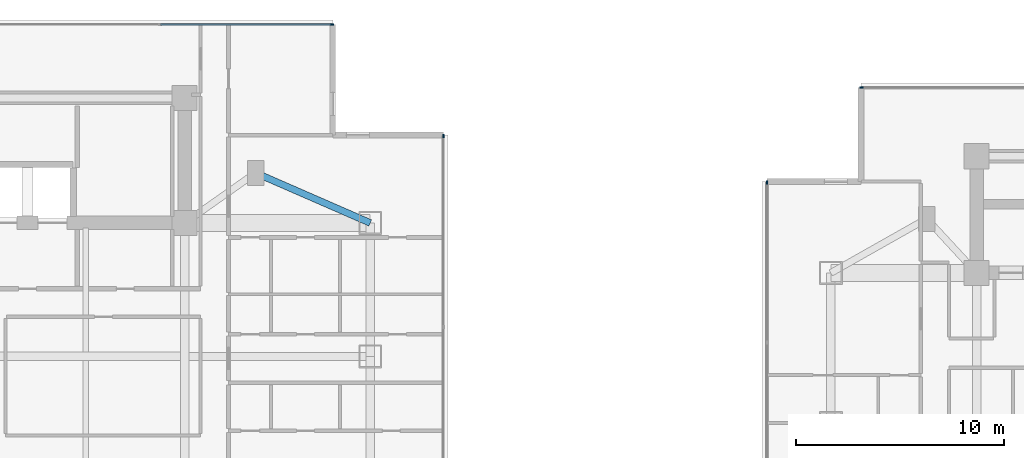
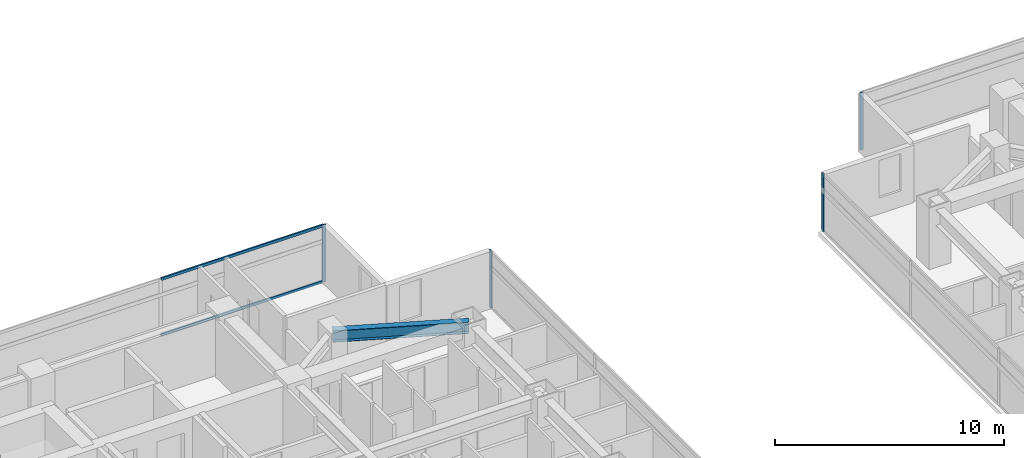
# One storey, part 8 of 26: 6 members, 1 beam, 4 elements without a shape of their own.
"""IFC4 building model written with IfcOpenShell, lengths in metres."""

from ifc_helpers import new_model, si_unit, direction, frame, origin, origin_2d, place, context, subcontext, project, spatial, rectangle, i_section, extrude, material, material_profile, profile_set, type_object, element, aggregate, save


model = new_model("IFC4")

# Units and contexts
model_context = context("Model", 3, precision=1e-05, world=origin(), true_north=direction((0.0, 1.0)))
body_context = subcontext(model_context, "Body", "Model", "MODEL_VIEW")
ifc_project = project(units=[si_unit("LENGTHUNIT", "METRE"), si_unit("AREAUNIT", "SQUARE_METRE"), si_unit("VOLUMEUNIT", "CUBIC_METRE"), si_unit("PLANEANGLEUNIT", "RADIAN"), si_unit("MASSUNIT", "GRAM", prefix="KILO")], contexts=[model_context])

# Site, building, storey
site_placement = place(None, origin())
site = spatial("IfcSite", under=ifc_project, at=site_placement, CompositionType="ELEMENT")
building_placement = place(site_placement, origin())
building = spatial("IfcBuilding", under=site, at=building_placement, Name="Mirazonda Arch Towers", CompositionType="ELEMENT")
storey_placement = place(building_placement, frame((0.0, 0.0, 108.199951171875)))
storey = spatial("IfcBuildingStorey", under=building, at=storey_placement, Name="L30", CompositionType="ELEMENT", Elevation=108.199951171875)

# Beam
ifc_material_1 = material(Name="Steel ASTM A992 Grade 50", Category="steel")
ifc_material_profile_1 = material_profile(ifc_material_1, i_section(OverallWidth=0.324951171875, OverallDepth=0.615966796875, WebThickness=0.013916015625, FlangeThickness=0.021484375, at=origin_2d()), Name="W24X117")
ifc_profile_set_1 = profile_set([ifc_material_profile_1], Name="Steel ASTM A992 Grade 50")
beam_type = type_object("IfcBeamType", Name="BM-INT-W24X117", PredefinedType="BEAM", material=ifc_profile_set_1)
beam_placement = place(storey_placement, frame((33.39990234375, 40.0, 2.77197265625), z_axis=(0.916545343703, -0.399930785183, 0.0), x_axis=(0.399930785183, 0.916545343703, 0.0)))
element("IfcBeam", 1, at=beam_placement, inside=storey, type_object=beam_type, Name="L30 Floor Beam BM-T1-L30-PL-NE2", PredefinedType="BEAM", context=body_context, shape_type="SweptSolid", body=[
    extrude(i_section(OverallWidth=0.324951171875, OverallDepth=0.615966796875, WebThickness=0.013916015625, FlangeThickness=0.021484375, at=origin_2d()), origin(), (0.0, 0.0, 1.0), 6.000732421875),
])

# Curtain wall, member
ifc_material_2 = material(Name="Anodised Aluminium and Low-E Glass", Category="aluminium")
curtain_wall_type = type_object("IfcCurtainWallType", Name="CW-HTL-UNIT", PredefinedType="NOTDEFINED", material=ifc_material_2)
curtain_wall_1_placement = place(storey_placement, origin())
curtain_wall_1 = element("IfcCurtainWall", 2, at=curtain_wall_1_placement, inside=storey, type_object=curtain_wall_type, Name="L30 T1 E Facade CW-L30-T1-E", PredefinedType="NOTDEFINED")
ifc_material_3 = material(Name="Anodised Aluminium Alloy", Category="aluminium")
ifc_material_profile_2 = material_profile(ifc_material_3, rectangle(XDim=0.074951171875, YDim=0.1650390625, at=origin_2d()), Name="ALU-MULL-75x165")
ifc_profile_set_2 = profile_set([ifc_material_profile_2], Name="Anodised Aluminium Alloy")
member_type_1 = type_object("IfcMemberType", Name="MULL-CW-HTL-UNIT", PredefinedType="MULLION", material=ifc_profile_set_2)
member_1_placement = place(storey_placement, frame((42.409912109375, 41.775390625, 0.0), z_axis=(0.0, 0.0, 1.0), x_axis=(-1.0, 0.0, 0.0)))
member_1 = element("IfcMember", 3, at=member_1_placement, type_object=member_type_1, Name="CW-112 mullion 4", PredefinedType="MULLION", context=body_context, shape_type="SweptSolid", body=[
    extrude(rectangle(XDim=0.074951171875, YDim=0.1650390625, at=origin_2d()), origin(), (0.0, 0.0, 1.0), 3.06005859375),
])
aggregate(curtain_wall_1, [member_1])

curtain_wall_2_placement = place(storey_placement, origin())
curtain_wall_2 = element("IfcCurtainWall", 4, at=curtain_wall_2_placement, inside=storey, type_object=curtain_wall_type, Name="L30 T1 N Facade CW-L30-T1-N", PredefinedType="NOTDEFINED")
member_2_placement = place(storey_placement, frame((37.0673828125, 47.117919921875, 0.0), z_axis=(0.0, 0.0, 1.0), x_axis=(0.0, 1.0, 0.0)))
member_2 = element("IfcMember", 5, at=member_2_placement, type_object=member_type_1, Name="CW-112 mullion 5", PredefinedType="MULLION", context=body_context, shape_type="SweptSolid", body=[
    extrude(rectangle(XDim=0.074951171875, YDim=0.1650390625, at=origin_2d()), origin(), (0.0, 0.0, 1.0), 3.06005859375),
])

curtain_wall_3_placement = place(storey_placement, origin())
curtain_wall_3 = element("IfcCurtainWall", 6, at=curtain_wall_3_placement, inside=storey, type_object=curtain_wall_type, Name="L30 T2 N Facade CW-L30-T2-N", PredefinedType="NOTDEFINED")
member_3_placement = place(storey_placement, frame((62.4833984375, 44.097412109375, 0.0), z_axis=(0.0, 0.0, 1.0), x_axis=(0.0, 1.0, 0.0)))
member_3 = element("IfcMember", 7, at=member_3_placement, type_object=member_type_1, Name="CW-112 mullion 1", PredefinedType="MULLION", context=body_context, shape_type="SweptSolid", body=[
    extrude(rectangle(XDim=0.074951171875, YDim=0.1650390625, at=origin_2d()), origin(), (0.0, 0.0, 1.0), 3.06005859375),
])
aggregate(curtain_wall_3, [member_3])

curtain_wall_4_placement = place(storey_placement, origin())
curtain_wall_4 = element("IfcCurtainWall", 8, at=curtain_wall_4_placement, inside=storey, type_object=curtain_wall_type, Name="L30 T2 W Facade CW-L30-T2-W", PredefinedType="NOTDEFINED")
member_4_placement = place(storey_placement, frame((57.929443359375, 39.54345703125, 0.0), z_axis=(0.0, 0.0, 1.0), x_axis=(1.0, 0.0, 0.0)))
member_4 = element("IfcMember", 9, at=member_4_placement, type_object=member_type_1, Name="CW-112 mullion 1", PredefinedType="MULLION", context=body_context, shape_type="SweptSolid", body=[
    extrude(rectangle(XDim=0.074951171875, YDim=0.1650390625, at=origin_2d()), origin(), (0.0, 0.0, 1.0), 3.06005859375),
])
aggregate(curtain_wall_4, [member_4])

# Member
ifc_material_profile_3 = material_profile(ifc_material_3, rectangle(XDim=0.074951171875, YDim=0.14501953125, at=origin_2d()), Name="ALU-TRAN-75x145")
ifc_profile_set_3 = profile_set([ifc_material_profile_3], Name="Anodised Aluminium Alloy")
member_type_2 = type_object("IfcMemberType", Name="TRAN-CW-HTL-UNIT", PredefinedType="USERDEFINED", material=ifc_profile_set_3)
member_5_placement = place(storey_placement, frame((28.840087890625, 47.117919921875, 0.03759765625), z_axis=(1.0, 0.0, 0.0), x_axis=(0.0, 1.0, 0.0)))
member_5 = element("IfcMember", 10, at=member_5_placement, type_object=member_type_2, Name="CW-112 transom 4.1", ObjectType="TRANSOM", PredefinedType="USERDEFINED", context=body_context, shape_type="SweptSolid", body=[
    extrude(rectangle(XDim=0.074951171875, YDim=0.14501953125, at=origin_2d()), origin(), (0.0, 0.0, 1.0), 8.18994140625),
])

member_6_placement = place(storey_placement, frame((28.840087890625, 47.117919921875, 3.0224609375), z_axis=(1.0, 0.0, 0.0), x_axis=(0.0, 1.0, 0.0)))
member_6 = element("IfcMember", 11, at=member_6_placement, type_object=member_type_2, Name="CW-112 transom 4.2", ObjectType="TRANSOM", PredefinedType="USERDEFINED", context=body_context, shape_type="SweptSolid", body=[
    extrude(rectangle(XDim=0.074951171875, YDim=0.14501953125, at=origin_2d()), origin(), (0.0, 0.0, 1.0), 8.18994140625),
])

aggregate(curtain_wall_2, [member_2, member_5, member_6])

save(model, "model.ifc")
